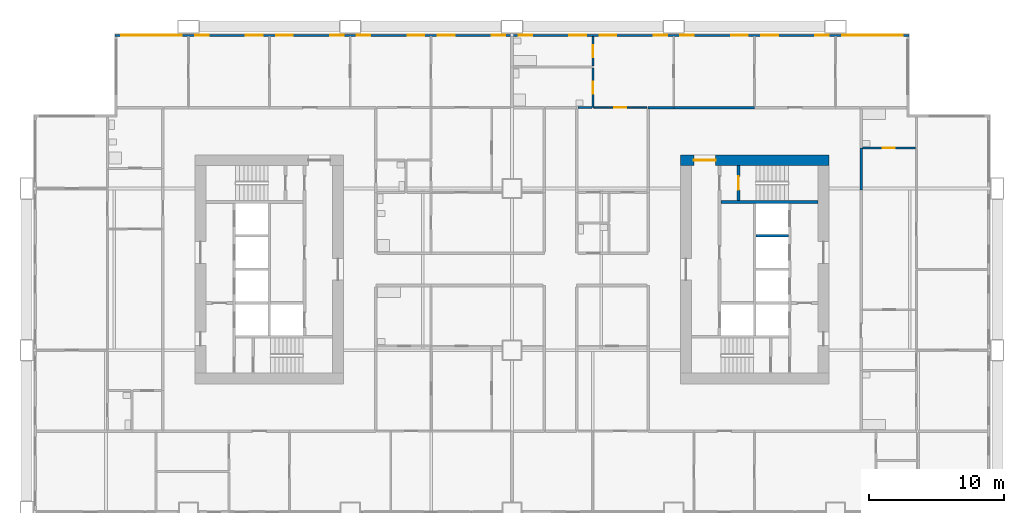
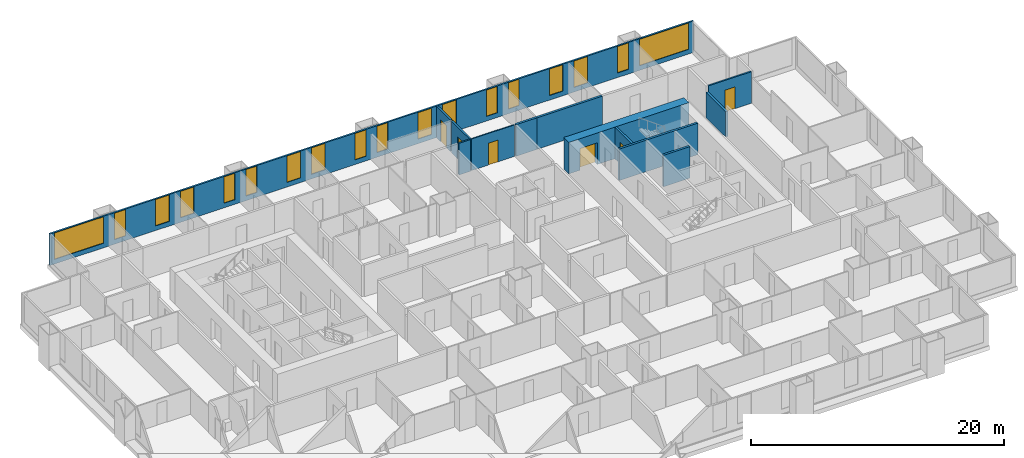
# One storey, part 10 of 14: 18 windows, 13 walls, 6 doors, 24 openings.
"""IFC4 building model written with IfcOpenShell, lengths in metres."""

from ifc_helpers import new_model, si_unit, direction, frame, frame_2d, origin, place, context, subcontext, project, spatial, rectangle, extrude, material, layer, layer_set, type_object, element, fill, save


model = new_model("IFC4")

# Units and contexts
model_context = context("Model", 3, precision=1e-05, world=origin(), true_north=direction((0.0, 1.0)))
body_context = subcontext(model_context, "Body", "Model", "MODEL_VIEW")
ifc_project = project(units=[si_unit("LENGTHUNIT", "METRE"), si_unit("AREAUNIT", "SQUARE_METRE"), si_unit("VOLUMEUNIT", "CUBIC_METRE"), si_unit("PLANEANGLEUNIT", "RADIAN"), si_unit("MASSUNIT", "GRAM", prefix="KILO")], contexts=[model_context])

# Site, building, storey
site_placement = place(None, origin())
site = spatial("IfcSite", under=ifc_project, at=site_placement, CompositionType="ELEMENT")
building_placement = place(site_placement, origin())
building = spatial("IfcBuilding", under=site, at=building_placement, Name="Kitamizu Gate Tower and Museum", CompositionType="ELEMENT")
storey_placement = place(building_placement, frame((0.0, 0.0, 85.199951171875)))
storey = spatial("IfcBuildingStorey", under=building, at=storey_placement, Name="L21", CompositionType="ELEMENT", Elevation=85.199951171875)

# Wall, opening, door
ifc_material_1 = material(Name="Concrete Fc60", Category="concrete")
ifc_layer_1 = layer(ifc_material_1, 0.800048828125)
ifc_layer_set_1 = layer_set([ifc_layer_1], Name="Concrete Fc60")
wall_type_1 = type_object("IfcWallType", Name="Core wall 800", PredefinedType="SHEAR", material=ifc_layer_set_1)
wall_1_placement = place(storey_placement, frame((59.5, 38.10009765625, 0.0), z_axis=(0.0, 0.0, 1.0), x_axis=(-1.0, 0.0, 0.0)))
wall_1 = element("IfcWall", 1, at=wall_1_placement, inside=storey, type_object=wall_type_1, Name="Core wall EN", PredefinedType="SHEAR", context=body_context, shape_type="SweptSolid", body=[
    extrude(rectangle(XDim=11.0, YDim=0.800048828125, at=frame_2d((5.5, 0.0))), origin(), (0.0, 0.0, 1.0), 3.050048828125),
])
opening_1_placement = place(wall_1_placement, frame((8.39990234375, 0.0, 0.0)))
opening_1 = element("IfcOpeningElement", 2, at=opening_1_placement, cuts=wall_1, Name="Opening L21-093", PredefinedType="OPENING", context=body_context, shape_type="SweptSolid", body=[
    extrude(rectangle(XDim=1.60009765625, YDim=2.10009765625, at=frame_2d((0.800048828125, 1.050048828125))), frame((0.0, 0.41015625, 0.0), z_axis=(0.0, -1.0, 0.0), x_axis=(1.0, 0.0, 0.0)), (0.0, 0.0, 1.0), 0.820068359375),
])
ifc_material_2 = material(Name="Timber door set", Category="wood")
door_type_1 = type_object("IfcDoorType", Name="Entrance door 1600", OperationType="DOUBLE_DOOR_SINGLE_SWING", PredefinedType="DOOR", material=ifc_material_2)
door_1_placement = place(opening_1_placement, origin())
door_1 = element("IfcDoor", 3, at=door_1_placement, inside=storey, type_object=door_type_1, Name="Lobby door L21-093", OperationType="DOUBLE_DOOR_SINGLE_SWING", OverallHeight=2.10009765625, OverallWidth=1.60009765625, PredefinedType="DOOR", context=body_context, shape_type="SweptSolid", body=[
    extrude(rectangle(XDim=1.60009765625, YDim=2.10009765625, at=frame_2d((0.800048828125, 1.050048828125))), frame((0.0, 0.02490234375, 0.0), z_axis=(0.0, -1.0, 0.0), x_axis=(1.0, 0.0, 0.0)), (0.0, 0.0, 1.0), 0.050048828125),
])
fill(opening_1, door_1)

ifc_material_3 = material(Name="Gypsum board on galvanised stud")
ifc_layer_2 = layer(ifc_material_3, 0.10009765625)
ifc_layer_set_2 = layer_set([ifc_layer_2], Name="Gypsum board on galvanised stud")
wall_type_2 = type_object("IfcWallType", Name="Partition 100 NOT RATED", PredefinedType="PARTITIONING", material=ifc_layer_set_2)
wall_2_placement = place(storey_placement, frame((42.074951171875, 42.0, 0.0), z_axis=(0.0, 0.0, 1.0), x_axis=(1.0, 0.0, 0.0)))
wall_2 = element("IfcWall", 4, at=wall_2_placement, inside=storey, type_object=wall_type_2, Name="Partition L21-194", PredefinedType="PARTITIONING", context=body_context, shape_type="SweptSolid", body=[
    extrude(rectangle(XDim=3.925048828125, YDim=0.10009765625, at=frame_2d((1.96240234375, 0.0))), origin(), (0.0, 0.0, 1.0), 3.050048828125),
])
opening_2_placement = place(wall_2_placement, frame((1.512451171875, 0.0, 0.0)))
opening_2 = element("IfcOpeningElement", 5, at=opening_2_placement, cuts=wall_2, Name="Opening L21-070", PredefinedType="OPENING", context=body_context, shape_type="SweptSolid", body=[
    extrude(rectangle(XDim=0.89990234375, YDim=2.10009765625, at=frame_2d((0.449951171875, 1.050048828125))), frame((0.0, 0.06005859375, 0.0), z_axis=(0.0, -1.0, 0.0), x_axis=(1.0, 0.0, 0.0)), (0.0, 0.0, 1.0), 0.1201171875),
])
ifc_material_4 = material(Name="Timber door set", Category="wood")
door_type_2 = type_object("IfcDoorType", Name="Room door 900", OperationType="NOTDEFINED", PredefinedType="DOOR", material=ifc_material_4)
door_2_placement = place(opening_2_placement, origin())
door_2 = element("IfcDoor", 6, at=door_2_placement, inside=storey, type_object=door_type_2, Name="Door L21-070", OperationType="SINGLE_SWING_RIGHT", OverallHeight=2.10009765625, OverallWidth=0.89990234375, PredefinedType="DOOR", context=body_context, shape_type="SweptSolid", body=[
    extrude(rectangle(XDim=0.89990234375, YDim=2.10009765625, at=frame_2d((0.449951171875, 1.050048828125))), frame((0.0, 0.02490234375, 0.0), z_axis=(0.0, -1.0, 0.0), x_axis=(1.0, 0.0, 0.0)), (0.0, 0.0, 1.0), 0.050048828125),
])
fill(opening_2, door_2)

ifc_material_5 = material(Name="Gypsum board on galvanised stud")
ifc_layer_3 = layer(ifc_material_5, 0.14990234375)
ifc_layer_set_3 = layer_set([ifc_layer_3], Name="Gypsum board on galvanised stud")
wall_type_3 = type_object("IfcWallType", Name="Partition 150", PredefinedType="PARTITIONING", material=ifc_layer_set_3)
wall_3_placement = place(storey_placement, frame((65.925048828125, 39.0, 0.0), z_axis=(0.0, 0.0, 1.0), x_axis=(-1.0, 0.0, 0.0)))
wall_3 = element("IfcWall", 7, at=wall_3_placement, inside=storey, type_object=wall_type_3, Name="Partition L21-183", PredefinedType="PARTITIONING", context=body_context, shape_type="SweptSolid", body=[
    extrude(rectangle(XDim=3.925048828125, YDim=0.14990234375, at=frame_2d((1.96240234375, 0.0))), origin(), (0.0, 0.0, 1.0), 3.050048828125),
])
opening_3_placement = place(wall_3_placement, frame((1.512451171875, 0.0, 0.0)))
opening_3 = element("IfcOpeningElement", 8, at=opening_3_placement, cuts=wall_3, Name="Opening L21-065", PredefinedType="OPENING", context=body_context, shape_type="SweptSolid", body=[
    extrude(rectangle(XDim=0.89990234375, YDim=2.10009765625, at=frame_2d((0.449951171875, 1.050048828125))), frame((0.0, 0.0849609375, 0.0), z_axis=(0.0, -1.0, 0.0), x_axis=(1.0, 0.0, 0.0)), (0.0, 0.0, 1.0), 0.169921875),
])
ifc_material_6 = material(Name="Timber door set", Category="wood")
door_type_3 = type_object("IfcDoorType", Name="Bathroom door 900", OperationType="NOTDEFINED", PredefinedType="DOOR", material=ifc_material_6)
door_3_placement = place(opening_3_placement, frame((0.89990234375, 0.0, 0.0), x_axis=(-1.0, 0.0, 0.0)))
door_3 = element("IfcDoor", 9, at=door_3_placement, inside=storey, type_object=door_type_3, Name="Bathroom door L21-065", OperationType="SINGLE_SWING_RIGHT", OverallHeight=2.10009765625, OverallWidth=0.89990234375, PredefinedType="DOOR", context=body_context, shape_type="SweptSolid", body=[
    extrude(rectangle(XDim=0.89990234375, YDim=2.10009765625, at=frame_2d((0.449951171875, 1.050048828125))), frame((0.0, 0.02490234375, 0.0), z_axis=(0.0, -1.0, 0.0), x_axis=(1.0, 0.0, 0.0)), (0.0, 0.0, 1.0), 0.050048828125),
])
fill(opening_3, door_3)

wall_4_placement = place(storey_placement, frame((42.0, 42.0, 0.0), z_axis=(0.0, 0.0, 1.0), x_axis=(0.0, 1.0, 0.0)))
wall_4 = element("IfcWall", 10, at=wall_4_placement, inside=storey, type_object=wall_type_3, Name="Partition L21-189", PredefinedType="PARTITIONING", context=body_context, shape_type="SweptSolid", body=[
    extrude(rectangle(XDim=2.925048828125, YDim=0.14990234375, at=frame_2d((1.46240234375, 0.0))), origin(), (0.0, 0.0, 1.0), 3.050048828125),
])
opening_4_placement = place(wall_4_placement, frame((1.012451171875, 0.0, 0.0)))
opening_4 = element("IfcOpeningElement", 11, at=opening_4_placement, cuts=wall_4, Name="Opening L21-073", PredefinedType="OPENING", context=body_context, shape_type="SweptSolid", body=[
    extrude(rectangle(XDim=0.89990234375, YDim=2.10009765625, at=frame_2d((0.449951171875, 1.050048828125))), frame((0.0, 0.0849609375, 0.0), z_axis=(0.0, -1.0, 0.0), x_axis=(1.0, 0.0, 0.0)), (0.0, 0.0, 1.0), 0.169921875),
])
door_4_placement = place(opening_4_placement, origin())
door_4 = element("IfcDoor", 12, at=door_4_placement, inside=storey, type_object=door_type_3, Name="Bathroom door L21-073", OperationType="SINGLE_SWING_LEFT", OverallHeight=2.10009765625, OverallWidth=0.89990234375, PredefinedType="DOOR", context=body_context, shape_type="SweptSolid", body=[
    extrude(rectangle(XDim=0.89990234375, YDim=2.10009765625, at=frame_2d((0.449951171875, 1.050048828125))), frame((0.0, 0.02490234375, 0.0), z_axis=(0.0, -1.0, 0.0), x_axis=(1.0, 0.0, 0.0)), (0.0, 0.0, 1.0), 0.050048828125),
])
fill(opening_4, door_4)

# Wall
wall_5_placement = place(storey_placement, frame((40.89990234375, 42.0, 0.0), z_axis=(0.0, 0.0, 1.0), x_axis=(1.0, 0.0, 0.0)))
element("IfcWall", 13, at=wall_5_placement, inside=storey, type_object=wall_type_3, Name="Partition L21-190", PredefinedType="PARTITIONING", context=body_context, shape_type="SweptSolid", body=[
    extrude(rectangle(XDim=1.025146484375, YDim=0.14990234375, at=frame_2d((0.5126953125, 0.0))), origin(), (0.0, 0.0, 1.0), 3.050048828125),
])

# Wall, opening, door
wall_6_placement = place(storey_placement, frame((42.0, 45.074951171875, 0.0), z_axis=(0.0, 0.0, 1.0), x_axis=(0.0, 1.0, 0.0)))
wall_6 = element("IfcWall", 14, at=wall_6_placement, inside=storey, type_object=wall_type_3, Name="Partition L21-192", PredefinedType="PARTITIONING", context=body_context, shape_type="SweptSolid", body=[
    extrude(rectangle(XDim=2.205078125, YDim=0.14990234375, at=frame_2d((1.1025390625, 0.0))), origin(), (0.0, 0.0, 1.0), 3.050048828125),
])
opening_5_placement = place(wall_6_placement, frame((0.652587890625, 0.0, 0.0)))
opening_5 = element("IfcOpeningElement", 15, at=opening_5_placement, cuts=wall_6, Name="Opening L21-074", PredefinedType="OPENING", context=body_context, shape_type="SweptSolid", body=[
    extrude(rectangle(XDim=0.89990234375, YDim=2.10009765625, at=frame_2d((0.449951171875, 1.050048828125))), frame((0.0, 0.0849609375, 0.0), z_axis=(0.0, -1.0, 0.0), x_axis=(1.0, 0.0, 0.0)), (0.0, 0.0, 1.0), 0.169921875),
])
door_5_placement = place(opening_5_placement, origin())
door_5 = element("IfcDoor", 16, at=door_5_placement, inside=storey, type_object=door_type_3, Name="Bathroom door L21-074", OperationType="SINGLE_SWING_RIGHT", OverallHeight=2.10009765625, OverallWidth=0.89990234375, PredefinedType="DOOR", context=body_context, shape_type="SweptSolid", body=[
    extrude(rectangle(XDim=0.89990234375, YDim=2.10009765625, at=frame_2d((0.449951171875, 1.050048828125))), frame((0.0, 0.02490234375, 0.0), z_axis=(0.0, -1.0, 0.0), x_axis=(1.0, 0.0, 0.0)), (0.0, 0.0, 1.0), 0.050048828125),
])
fill(opening_5, door_5)

# Walls
ifc_material_7 = material(Name="Gypsum board on galvanised stud")
ifc_layer_4 = layer(ifc_material_7, 0.199951171875)
ifc_layer_set_4 = layer_set([ifc_layer_4], Name="Gypsum board on galvanised stud")
wall_type_4 = type_object("IfcWallType", Name="Partition 200", PredefinedType="PARTITIONING", material=ifc_layer_set_4)
wall_7_placement = place(storey_placement, frame((61.89990234375, 39.0, 0.0), z_axis=(0.0, 0.0, 1.0), x_axis=(0.0, -1.0, 0.0)))
element("IfcWall", 17, at=wall_7_placement, inside=storey, type_object=wall_type_4, Name="Partition L21-184", PredefinedType="PARTITIONING", context=body_context, shape_type="SweptSolid", body=[
    extrude(rectangle(XDim=3.10009765625, YDim=0.199951171875, at=frame_2d((1.550048828125, 0.0))), origin(), (0.0, 0.0, 1.0), 2.449951171875),
])
wall_8_placement = place(storey_placement, frame((46.10009765625, 42.0, 0.0), z_axis=(0.0, 0.0, 1.0), x_axis=(1.0, 0.0, 0.0)))
element("IfcWall", 18, at=wall_8_placement, inside=storey, type_object=wall_type_4, Name="Partition L21-195", PredefinedType="PARTITIONING", context=body_context, shape_type="SweptSolid", body=[
    extrude(rectangle(XDim=1.89990234375, YDim=0.199951171875, at=frame_2d((0.949951171875, 0.0))), origin(), (0.0, 0.0, 1.0), 3.050048828125),
])
wall_9_placement = place(storey_placement, frame((48.0, 42.0, 0.0), z_axis=(0.0, 0.0, 1.0), x_axis=(1.0, 0.0, 0.0)))
element("IfcWall", 19, at=wall_9_placement, inside=storey, type_object=wall_type_4, Name="Partition L21-197", PredefinedType="PARTITIONING", context=body_context, shape_type="SweptSolid", body=[
    extrude(rectangle(XDim=6.0, YDim=0.199951171875, at=frame_2d((3.0, 0.0))), origin(), (0.0, 0.0, 1.0), 3.050048828125),
])
ifc_material_8 = material(Name="Concrete Fc42", Category="concrete")
ifc_layer_5 = layer(ifc_material_8, 0.199951171875)
ifc_layer_set_5 = layer_set([ifc_layer_5], Name="Concrete Fc42")
wall_type_5 = type_object("IfcWallType", Name="Shaft wall 200", PredefinedType="SOLIDWALL", material=ifc_layer_set_5)
wall_10_placement = place(storey_placement, frame((58.699951171875, 35.0, 0.0), z_axis=(0.0, 0.0, 1.0), x_axis=(-1.0, 0.0, 0.0)))
element("IfcWall", 20, at=wall_10_placement, inside=storey, type_object=wall_type_5, Name="Shaft wall ENB", PredefinedType="SOLIDWALL", context=body_context, shape_type="SweptSolid", body=[
    extrude(rectangle(XDim=7.199951171875, YDim=0.199951171875, at=frame_2d((3.60009765625, 0.0))), origin(), (0.0, 0.0, 1.0), 3.050048828125),
])

# Wall, opening, door
wall_11_placement = place(storey_placement, frame((52.800048828125, 35.10009765625, 0.0), z_axis=(0.0, 0.0, 1.0), x_axis=(0.0, 1.0, 0.0)))
wall_11 = element("IfcWall", 21, at=wall_11_placement, inside=storey, type_object=wall_type_5, Name="Shaft wall ENZ", PredefinedType="SOLIDWALL", context=body_context, shape_type="SweptSolid", body=[
    extrude(rectangle(XDim=2.599853515625, YDim=0.199951171875, at=frame_2d((1.2998046875, 0.0))), origin(), (0.0, 0.0, 1.0), 3.050048828125),
])
opening_6_placement = place(wall_11_placement, frame((0.800048828125, 0.0, 0.0)))
opening_6 = element("IfcOpeningElement", 22, at=opening_6_placement, cuts=wall_11, Name="Opening L21-089", PredefinedType="OPENING", context=body_context, shape_type="SweptSolid", body=[
    extrude(rectangle(XDim=1.0, YDim=2.10009765625, at=frame_2d((0.5, 1.050048828125))), frame((0.0, 0.10986328125, 0.0), z_axis=(0.0, -1.0, 0.0), x_axis=(1.0, 0.0, 0.0)), (0.0, 0.0, 1.0), 0.219970703125),
])
ifc_material_9 = material(Name="Hollow metal door set")
door_type_4 = type_object("IfcDoorType", Name="Fire door 1000", OperationType="NOTDEFINED", PredefinedType="DOOR", material=ifc_material_9)
door_6_placement = place(opening_6_placement, frame((1.0, 0.0, 0.0), x_axis=(-1.0, 0.0, 0.0)))
door_6 = element("IfcDoor", 23, at=door_6_placement, inside=storey, type_object=door_type_4, Name="Stair door L21-089", OperationType="SINGLE_SWING_LEFT", OverallHeight=2.10009765625, OverallWidth=1.0, PredefinedType="DOOR", context=body_context, shape_type="SweptSolid", body=[
    extrude(rectangle(XDim=1.0, YDim=2.10009765625, at=frame_2d((0.5, 1.050048828125))), frame((0.0, 0.02490234375, 0.0), z_axis=(0.0, -1.0, 0.0), x_axis=(1.0, 0.0, 0.0)), (0.0, 0.0, 1.0), 0.050048828125),
])
fill(opening_6, door_6)

# Wall
wall_12_placement = place(storey_placement, frame((56.5, 32.5, 0.0), z_axis=(0.0, 0.0, 1.0), x_axis=(-1.0, 0.0, 0.0)))
element("IfcWall", 24, at=wall_12_placement, inside=storey, type_object=wall_type_5, Name="Shaft wall EDVW2", PredefinedType="SOLIDWALL", context=body_context, shape_type="SweptSolid", body=[
    extrude(rectangle(XDim=2.39990234375, YDim=0.199951171875, at=frame_2d((1.199951171875, 0.0))), origin(), (0.0, 0.0, 1.0), 3.050048828125),
])

# Wall, openings, windows
ifc_material_10 = material(Name="Bronze anodised aluminium frame with insulated spandrel and tinted glass", Category="aluminium")
ifc_layer_6 = layer(ifc_material_10, 0.14990234375)
ifc_layer_set_6 = layer_set([ifc_layer_6], Name="Bronze anodised aluminium frame with insulated spandrel and tinted glass")
wall_type_6 = type_object("IfcWallType", Name="WINDOW WALL 150 BRONZE FRAME EI 30", PredefinedType="ELEMENTEDWALL", material=ifc_layer_set_6)
wall_13_placement = place(storey_placement, frame((6.56005859375, 47.364990234375, 0.0), z_axis=(0.0, 0.0, 1.0), x_axis=(1.0, 0.0, 0.0)))
wall_13 = element("IfcWall", 25, at=wall_13_placement, inside=storey, type_object=wall_type_6, Name="Window wall north L21", PredefinedType="ELEMENTEDWALL", context=body_context, shape_type="SweptSolid", body=[
    extrude(rectangle(XDim=58.8798828125, YDim=0.14990234375, at=frame_2d((29.43994140625, 0.0))), origin(), (0.0, 0.0, 1.0), 3.050048828125),
])
opening_7_placement = place(wall_13_placement, frame((0.43994140625, 0.0, 0.449951171875)))
opening_7 = element("IfcOpeningElement", 26, at=opening_7_placement, cuts=wall_13, Name="Opening W15", PredefinedType="OPENING", context=body_context, shape_type="SweptSolid", body=[
    extrude(rectangle(XDim=4.5, YDim=2.550048828125, at=frame_2d((2.25, 1.27490234375))), frame((0.0, 0.0849609375, 0.0), z_axis=(0.0, -1.0, 0.0), x_axis=(1.0, 0.0, 0.0)), (0.0, 0.0, 1.0), 0.169921875),
])
opening_8_placement = place(wall_13_placement, frame((5.93994140625, 0.0, 0.449951171875)))
opening_8 = element("IfcOpeningElement", 27, at=opening_8_placement, cuts=wall_13, Name="Opening W26", PredefinedType="OPENING", context=body_context, shape_type="SweptSolid", body=[
    extrude(rectangle(XDim=1.0, YDim=2.550048828125, at=frame_2d((0.5, 1.27490234375))), frame((0.0, 0.0849609375, 0.0), z_axis=(0.0, -1.0, 0.0), x_axis=(1.0, 0.0, 0.0)), (0.0, 0.0, 1.0), 0.169921875),
])
opening_9_placement = place(wall_13_placement, frame((9.68994140625, 0.0, 0.449951171875)))
opening_9 = element("IfcOpeningElement", 28, at=opening_9_placement, cuts=wall_13, Name="Opening W27", PredefinedType="OPENING", context=body_context, shape_type="SweptSolid", body=[
    extrude(rectangle(XDim=1.25, YDim=2.550048828125, at=frame_2d((0.625, 1.27490234375))), frame((0.0, 0.0849609375, 0.0), z_axis=(0.0, -1.0, 0.0), x_axis=(1.0, 0.0, 0.0)), (0.0, 0.0, 1.0), 0.169921875),
])
opening_10_placement = place(wall_13_placement, frame((11.93994140625, 0.0, 0.449951171875)))
opening_10 = element("IfcOpeningElement", 29, at=opening_10_placement, cuts=wall_13, Name="Opening W27", PredefinedType="OPENING", context=body_context, shape_type="SweptSolid", body=[
    extrude(rectangle(XDim=1.25, YDim=2.550048828125, at=frame_2d((0.625, 1.27490234375))), frame((0.0, 0.0849609375, 0.0), z_axis=(0.0, -1.0, 0.0), x_axis=(1.0, 0.0, 0.0)), (0.0, 0.0, 1.0), 0.169921875),
])
opening_11_placement = place(wall_13_placement, frame((15.93994140625, 0.0, 0.449951171875)))
opening_11 = element("IfcOpeningElement", 30, at=opening_11_placement, cuts=wall_13, Name="Opening W26", PredefinedType="OPENING", context=body_context, shape_type="SweptSolid", body=[
    extrude(rectangle(XDim=1.0, YDim=2.550048828125, at=frame_2d((0.5, 1.27490234375))), frame((0.0, 0.0849609375, 0.0), z_axis=(0.0, -1.0, 0.0), x_axis=(1.0, 0.0, 0.0)), (0.0, 0.0, 1.0), 0.169921875),
])
opening_12_placement = place(wall_13_placement, frame((17.93994140625, 0.0, 0.449951171875)))
opening_12 = element("IfcOpeningElement", 31, at=opening_12_placement, cuts=wall_13, Name="Opening W26", PredefinedType="OPENING", context=body_context, shape_type="SweptSolid", body=[
    extrude(rectangle(XDim=1.0, YDim=2.550048828125, at=frame_2d((0.5, 1.27490234375))), frame((0.0, 0.0849609375, 0.0), z_axis=(0.0, -1.0, 0.0), x_axis=(1.0, 0.0, 0.0)), (0.0, 0.0, 1.0), 0.169921875),
])
opening_13_placement = place(wall_13_placement, frame((21.68994140625, 0.0, 0.449951171875)))
opening_13 = element("IfcOpeningElement", 32, at=opening_13_placement, cuts=wall_13, Name="Opening W27", PredefinedType="OPENING", context=body_context, shape_type="SweptSolid", body=[
    extrude(rectangle(XDim=1.25, YDim=2.550048828125, at=frame_2d((0.625, 1.27490234375))), frame((0.0, 0.0849609375, 0.0), z_axis=(0.0, -1.0, 0.0), x_axis=(1.0, 0.0, 0.0)), (0.0, 0.0, 1.0), 0.169921875),
])
opening_14_placement = place(wall_13_placement, frame((23.93994140625, 0.0, 0.449951171875)))
opening_14 = element("IfcOpeningElement", 33, at=opening_14_placement, cuts=wall_13, Name="Opening W27", PredefinedType="OPENING", context=body_context, shape_type="SweptSolid", body=[
    extrude(rectangle(XDim=1.25, YDim=2.550048828125, at=frame_2d((0.625, 1.27490234375))), frame((0.0, 0.0849609375, 0.0), z_axis=(0.0, -1.0, 0.0), x_axis=(1.0, 0.0, 0.0)), (0.0, 0.0, 1.0), 0.169921875),
])
opening_15_placement = place(wall_13_placement, frame((27.93994140625, 0.0, 0.449951171875)))
opening_15 = element("IfcOpeningElement", 34, at=opening_15_placement, cuts=wall_13, Name="Opening W26", PredefinedType="OPENING", context=body_context, shape_type="SweptSolid", body=[
    extrude(rectangle(XDim=1.0, YDim=2.550048828125, at=frame_2d((0.5, 1.27490234375))), frame((0.0, 0.0849609375, 0.0), z_axis=(0.0, -1.0, 0.0), x_axis=(1.0, 0.0, 0.0)), (0.0, 0.0, 1.0), 0.169921875),
])
opening_16_placement = place(wall_13_placement, frame((29.93994140625, 0.0, 0.449951171875)))
opening_16 = element("IfcOpeningElement", 35, at=opening_16_placement, cuts=wall_13, Name="Opening W26", PredefinedType="OPENING", context=body_context, shape_type="SweptSolid", body=[
    extrude(rectangle(XDim=1.0, YDim=2.550048828125, at=frame_2d((0.5, 1.27490234375))), frame((0.0, 0.0849609375, 0.0), z_axis=(0.0, -1.0, 0.0), x_axis=(1.0, 0.0, 0.0)), (0.0, 0.0, 1.0), 0.169921875),
])
opening_17_placement = place(wall_13_placement, frame((33.68994140625, 0.0, 0.449951171875)))
opening_17 = element("IfcOpeningElement", 36, at=opening_17_placement, cuts=wall_13, Name="Opening W27", PredefinedType="OPENING", context=body_context, shape_type="SweptSolid", body=[
    extrude(rectangle(XDim=1.25, YDim=2.550048828125, at=frame_2d((0.625, 1.27490234375))), frame((0.0, 0.0849609375, 0.0), z_axis=(0.0, -1.0, 0.0), x_axis=(1.0, 0.0, 0.0)), (0.0, 0.0, 1.0), 0.169921875),
])
opening_18_placement = place(wall_13_placement, frame((35.93994140625, 0.0, 0.449951171875)))
opening_18 = element("IfcOpeningElement", 37, at=opening_18_placement, cuts=wall_13, Name="Opening W27", PredefinedType="OPENING", context=body_context, shape_type="SweptSolid", body=[
    extrude(rectangle(XDim=1.25, YDim=2.550048828125, at=frame_2d((0.625, 1.27490234375))), frame((0.0, 0.0849609375, 0.0), z_axis=(0.0, -1.0, 0.0), x_axis=(1.0, 0.0, 0.0)), (0.0, 0.0, 1.0), 0.169921875),
])
opening_19_placement = place(wall_13_placement, frame((39.93994140625, 0.0, 0.449951171875)))
opening_19 = element("IfcOpeningElement", 38, at=opening_19_placement, cuts=wall_13, Name="Opening W26", PredefinedType="OPENING", context=body_context, shape_type="SweptSolid", body=[
    extrude(rectangle(XDim=1.0, YDim=2.550048828125, at=frame_2d((0.5, 1.27490234375))), frame((0.0, 0.0849609375, 0.0), z_axis=(0.0, -1.0, 0.0), x_axis=(1.0, 0.0, 0.0)), (0.0, 0.0, 1.0), 0.169921875),
])
opening_20_placement = place(wall_13_placement, frame((41.93994140625, 0.0, 0.449951171875)))
opening_20 = element("IfcOpeningElement", 39, at=opening_20_placement, cuts=wall_13, Name="Opening W26", PredefinedType="OPENING", context=body_context, shape_type="SweptSolid", body=[
    extrude(rectangle(XDim=1.0, YDim=2.550048828125, at=frame_2d((0.5, 1.27490234375))), frame((0.0, 0.0849609375, 0.0), z_axis=(0.0, -1.0, 0.0), x_axis=(1.0, 0.0, 0.0)), (0.0, 0.0, 1.0), 0.169921875),
])
opening_21_placement = place(wall_13_placement, frame((45.68994140625, 0.0, 0.449951171875)))
opening_21 = element("IfcOpeningElement", 40, at=opening_21_placement, cuts=wall_13, Name="Opening W27", PredefinedType="OPENING", context=body_context, shape_type="SweptSolid", body=[
    extrude(rectangle(XDim=1.25, YDim=2.550048828125, at=frame_2d((0.625, 1.27490234375))), frame((0.0, 0.0849609375, 0.0), z_axis=(0.0, -1.0, 0.0), x_axis=(1.0, 0.0, 0.0)), (0.0, 0.0, 1.0), 0.169921875),
])
opening_22_placement = place(wall_13_placement, frame((47.93994140625, 0.0, 0.449951171875)))
opening_22 = element("IfcOpeningElement", 41, at=opening_22_placement, cuts=wall_13, Name="Opening W27", PredefinedType="OPENING", context=body_context, shape_type="SweptSolid", body=[
    extrude(rectangle(XDim=1.25, YDim=2.550048828125, at=frame_2d((0.625, 1.27490234375))), frame((0.0, 0.0849609375, 0.0), z_axis=(0.0, -1.0, 0.0), x_axis=(1.0, 0.0, 0.0)), (0.0, 0.0, 1.0), 0.169921875),
])
opening_23_placement = place(wall_13_placement, frame((51.93994140625, 0.0, 0.449951171875)))
opening_23 = element("IfcOpeningElement", 42, at=opening_23_placement, cuts=wall_13, Name="Opening W26", PredefinedType="OPENING", context=body_context, shape_type="SweptSolid", body=[
    extrude(rectangle(XDim=1.0, YDim=2.550048828125, at=frame_2d((0.5, 1.27490234375))), frame((0.0, 0.0849609375, 0.0), z_axis=(0.0, -1.0, 0.0), x_axis=(1.0, 0.0, 0.0)), (0.0, 0.0, 1.0), 0.169921875),
])
opening_24_placement = place(wall_13_placement, frame((53.93994140625, 0.0, 0.449951171875)))
opening_24 = element("IfcOpeningElement", 43, at=opening_24_placement, cuts=wall_13, Name="Opening W15", PredefinedType="OPENING", context=body_context, shape_type="SweptSolid", body=[
    extrude(rectangle(XDim=4.5, YDim=2.550048828125, at=frame_2d((2.25, 1.27490234375))), frame((0.0, 0.0849609375, 0.0), z_axis=(0.0, -1.0, 0.0), x_axis=(1.0, 0.0, 0.0)), (0.0, 0.0, 1.0), 0.169921875),
])
ifc_material_11 = material(Name="Bronze anodised aluminium frame, tinted triple glazing", Category="aluminium")
window_type_1 = type_object("IfcWindowType", Name="WINDOW 1000 x 2550 SILL 450", PartitioningType="SINGLE_PANEL", PredefinedType="WINDOW", material=ifc_material_11)
window_1_placement = place(opening_8_placement, origin())
window_1 = element("IfcWindow", 44, at=window_1_placement, inside=storey, type_object=window_type_1, Name="Window W26 L21", OverallHeight=2.550048828125, OverallWidth=1.0, PartitioningType="SINGLE_PANEL", PredefinedType="WINDOW", context=body_context, shape_type="SweptSolid", body=[
    extrude(rectangle(XDim=1.0, YDim=2.550048828125, at=frame_2d((0.5, 1.27490234375))), frame((0.0, 0.030029296875, 0.0), z_axis=(0.0, -1.0, 0.0), x_axis=(1.0, 0.0, 0.0)), (0.0, 0.0, 1.0), 0.06005859375),
])
fill(opening_8, window_1)
window_2_placement = place(opening_11_placement, origin())
window_2 = element("IfcWindow", 45, at=window_2_placement, inside=storey, type_object=window_type_1, Name="Window W26 L21", OverallHeight=2.550048828125, OverallWidth=1.0, PartitioningType="SINGLE_PANEL", PredefinedType="WINDOW", context=body_context, shape_type="SweptSolid", body=[
    extrude(rectangle(XDim=1.0, YDim=2.550048828125, at=frame_2d((0.5, 1.27490234375))), frame((0.0, 0.030029296875, 0.0), z_axis=(0.0, -1.0, 0.0), x_axis=(1.0, 0.0, 0.0)), (0.0, 0.0, 1.0), 0.06005859375),
])
fill(opening_11, window_2)
window_3_placement = place(opening_12_placement, origin())
window_3 = element("IfcWindow", 46, at=window_3_placement, inside=storey, type_object=window_type_1, Name="Window W26 L21", OverallHeight=2.550048828125, OverallWidth=1.0, PartitioningType="SINGLE_PANEL", PredefinedType="WINDOW", context=body_context, shape_type="SweptSolid", body=[
    extrude(rectangle(XDim=1.0, YDim=2.550048828125, at=frame_2d((0.5, 1.27490234375))), frame((0.0, 0.030029296875, 0.0), z_axis=(0.0, -1.0, 0.0), x_axis=(1.0, 0.0, 0.0)), (0.0, 0.0, 1.0), 0.06005859375),
])
fill(opening_12, window_3)
window_4_placement = place(opening_15_placement, origin())
window_4 = element("IfcWindow", 47, at=window_4_placement, inside=storey, type_object=window_type_1, Name="Window W26 L21", OverallHeight=2.550048828125, OverallWidth=1.0, PartitioningType="SINGLE_PANEL", PredefinedType="WINDOW", context=body_context, shape_type="SweptSolid", body=[
    extrude(rectangle(XDim=1.0, YDim=2.550048828125, at=frame_2d((0.5, 1.27490234375))), frame((0.0, 0.030029296875, 0.0), z_axis=(0.0, -1.0, 0.0), x_axis=(1.0, 0.0, 0.0)), (0.0, 0.0, 1.0), 0.06005859375),
])
fill(opening_15, window_4)
window_5_placement = place(opening_16_placement, origin())
window_5 = element("IfcWindow", 48, at=window_5_placement, inside=storey, type_object=window_type_1, Name="Window W26 L21", OverallHeight=2.550048828125, OverallWidth=1.0, PartitioningType="SINGLE_PANEL", PredefinedType="WINDOW", context=body_context, shape_type="SweptSolid", body=[
    extrude(rectangle(XDim=1.0, YDim=2.550048828125, at=frame_2d((0.5, 1.27490234375))), frame((0.0, 0.030029296875, 0.0), z_axis=(0.0, -1.0, 0.0), x_axis=(1.0, 0.0, 0.0)), (0.0, 0.0, 1.0), 0.06005859375),
])
fill(opening_16, window_5)
window_6_placement = place(opening_19_placement, origin())
window_6 = element("IfcWindow", 49, at=window_6_placement, inside=storey, type_object=window_type_1, Name="Window W26 L21", OverallHeight=2.550048828125, OverallWidth=1.0, PartitioningType="SINGLE_PANEL", PredefinedType="WINDOW", context=body_context, shape_type="SweptSolid", body=[
    extrude(rectangle(XDim=1.0, YDim=2.550048828125, at=frame_2d((0.5, 1.27490234375))), frame((0.0, 0.030029296875, 0.0), z_axis=(0.0, -1.0, 0.0), x_axis=(1.0, 0.0, 0.0)), (0.0, 0.0, 1.0), 0.06005859375),
])
fill(opening_19, window_6)
window_7_placement = place(opening_20_placement, origin())
window_7 = element("IfcWindow", 50, at=window_7_placement, inside=storey, type_object=window_type_1, Name="Window W26 L21", OverallHeight=2.550048828125, OverallWidth=1.0, PartitioningType="SINGLE_PANEL", PredefinedType="WINDOW", context=body_context, shape_type="SweptSolid", body=[
    extrude(rectangle(XDim=1.0, YDim=2.550048828125, at=frame_2d((0.5, 1.27490234375))), frame((0.0, 0.030029296875, 0.0), z_axis=(0.0, -1.0, 0.0), x_axis=(1.0, 0.0, 0.0)), (0.0, 0.0, 1.0), 0.06005859375),
])
fill(opening_20, window_7)
window_8_placement = place(opening_23_placement, origin())
window_8 = element("IfcWindow", 51, at=window_8_placement, inside=storey, type_object=window_type_1, Name="Window W26 L21", OverallHeight=2.550048828125, OverallWidth=1.0, PartitioningType="SINGLE_PANEL", PredefinedType="WINDOW", context=body_context, shape_type="SweptSolid", body=[
    extrude(rectangle(XDim=1.0, YDim=2.550048828125, at=frame_2d((0.5, 1.27490234375))), frame((0.0, 0.030029296875, 0.0), z_axis=(0.0, -1.0, 0.0), x_axis=(1.0, 0.0, 0.0)), (0.0, 0.0, 1.0), 0.06005859375),
])
fill(opening_23, window_8)
ifc_material_12 = material(Name="Bronze anodised aluminium frame, tinted triple glazing", Category="aluminium")
window_type_2 = type_object("IfcWindowType", Name="WINDOW 1250 x 2550 SILL 450", PartitioningType="SINGLE_PANEL", PredefinedType="WINDOW", material=ifc_material_12)
window_9_placement = place(opening_9_placement, origin())
window_9 = element("IfcWindow", 52, at=window_9_placement, inside=storey, type_object=window_type_2, Name="Window W27 L21", OverallHeight=2.550048828125, OverallWidth=1.25, PartitioningType="SINGLE_PANEL", PredefinedType="WINDOW", context=body_context, shape_type="SweptSolid", body=[
    extrude(rectangle(XDim=1.25, YDim=2.550048828125, at=frame_2d((0.625, 1.27490234375))), frame((0.0, 0.030029296875, 0.0), z_axis=(0.0, -1.0, 0.0), x_axis=(1.0, 0.0, 0.0)), (0.0, 0.0, 1.0), 0.06005859375),
])
fill(opening_9, window_9)
window_10_placement = place(opening_10_placement, origin())
window_10 = element("IfcWindow", 53, at=window_10_placement, inside=storey, type_object=window_type_2, Name="Window W27 L21", OverallHeight=2.550048828125, OverallWidth=1.25, PartitioningType="SINGLE_PANEL", PredefinedType="WINDOW", context=body_context, shape_type="SweptSolid", body=[
    extrude(rectangle(XDim=1.25, YDim=2.550048828125, at=frame_2d((0.625, 1.27490234375))), frame((0.0, 0.030029296875, 0.0), z_axis=(0.0, -1.0, 0.0), x_axis=(1.0, 0.0, 0.0)), (0.0, 0.0, 1.0), 0.06005859375),
])
fill(opening_10, window_10)
window_11_placement = place(opening_13_placement, origin())
window_11 = element("IfcWindow", 54, at=window_11_placement, inside=storey, type_object=window_type_2, Name="Window W27 L21", OverallHeight=2.550048828125, OverallWidth=1.25, PartitioningType="SINGLE_PANEL", PredefinedType="WINDOW", context=body_context, shape_type="SweptSolid", body=[
    extrude(rectangle(XDim=1.25, YDim=2.550048828125, at=frame_2d((0.625, 1.27490234375))), frame((0.0, 0.030029296875, 0.0), z_axis=(0.0, -1.0, 0.0), x_axis=(1.0, 0.0, 0.0)), (0.0, 0.0, 1.0), 0.06005859375),
])
fill(opening_13, window_11)
window_12_placement = place(opening_14_placement, origin())
window_12 = element("IfcWindow", 55, at=window_12_placement, inside=storey, type_object=window_type_2, Name="Window W27 L21", OverallHeight=2.550048828125, OverallWidth=1.25, PartitioningType="SINGLE_PANEL", PredefinedType="WINDOW", context=body_context, shape_type="SweptSolid", body=[
    extrude(rectangle(XDim=1.25, YDim=2.550048828125, at=frame_2d((0.625, 1.27490234375))), frame((0.0, 0.030029296875, 0.0), z_axis=(0.0, -1.0, 0.0), x_axis=(1.0, 0.0, 0.0)), (0.0, 0.0, 1.0), 0.06005859375),
])
fill(opening_14, window_12)
window_13_placement = place(opening_17_placement, origin())
window_13 = element("IfcWindow", 56, at=window_13_placement, inside=storey, type_object=window_type_2, Name="Window W27 L21", OverallHeight=2.550048828125, OverallWidth=1.25, PartitioningType="SINGLE_PANEL", PredefinedType="WINDOW", context=body_context, shape_type="SweptSolid", body=[
    extrude(rectangle(XDim=1.25, YDim=2.550048828125, at=frame_2d((0.625, 1.27490234375))), frame((0.0, 0.030029296875, 0.0), z_axis=(0.0, -1.0, 0.0), x_axis=(1.0, 0.0, 0.0)), (0.0, 0.0, 1.0), 0.06005859375),
])
fill(opening_17, window_13)
window_14_placement = place(opening_18_placement, origin())
window_14 = element("IfcWindow", 57, at=window_14_placement, inside=storey, type_object=window_type_2, Name="Window W27 L21", OverallHeight=2.550048828125, OverallWidth=1.25, PartitioningType="SINGLE_PANEL", PredefinedType="WINDOW", context=body_context, shape_type="SweptSolid", body=[
    extrude(rectangle(XDim=1.25, YDim=2.550048828125, at=frame_2d((0.625, 1.27490234375))), frame((0.0, 0.030029296875, 0.0), z_axis=(0.0, -1.0, 0.0), x_axis=(1.0, 0.0, 0.0)), (0.0, 0.0, 1.0), 0.06005859375),
])
fill(opening_18, window_14)
window_15_placement = place(opening_21_placement, origin())
window_15 = element("IfcWindow", 58, at=window_15_placement, inside=storey, type_object=window_type_2, Name="Window W27 L21", OverallHeight=2.550048828125, OverallWidth=1.25, PartitioningType="SINGLE_PANEL", PredefinedType="WINDOW", context=body_context, shape_type="SweptSolid", body=[
    extrude(rectangle(XDim=1.25, YDim=2.550048828125, at=frame_2d((0.625, 1.27490234375))), frame((0.0, 0.030029296875, 0.0), z_axis=(0.0, -1.0, 0.0), x_axis=(1.0, 0.0, 0.0)), (0.0, 0.0, 1.0), 0.06005859375),
])
fill(opening_21, window_15)
window_16_placement = place(opening_22_placement, origin())
window_16 = element("IfcWindow", 59, at=window_16_placement, inside=storey, type_object=window_type_2, Name="Window W27 L21", OverallHeight=2.550048828125, OverallWidth=1.25, PartitioningType="SINGLE_PANEL", PredefinedType="WINDOW", context=body_context, shape_type="SweptSolid", body=[
    extrude(rectangle(XDim=1.25, YDim=2.550048828125, at=frame_2d((0.625, 1.27490234375))), frame((0.0, 0.030029296875, 0.0), z_axis=(0.0, -1.0, 0.0), x_axis=(1.0, 0.0, 0.0)), (0.0, 0.0, 1.0), 0.06005859375),
])
fill(opening_22, window_16)
ifc_material_13 = material(Name="Bronze anodised aluminium frame, tinted triple glazing", Category="aluminium")
window_type_3 = type_object("IfcWindowType", Name="WINDOW 4500 x 2550 SILL 450", PartitioningType="SINGLE_PANEL", PredefinedType="WINDOW", material=ifc_material_13)
window_17_placement = place(opening_7_placement, origin())
window_17 = element("IfcWindow", 60, at=window_17_placement, inside=storey, type_object=window_type_3, Name="Window W15 L21", OverallHeight=2.550048828125, OverallWidth=4.5, PartitioningType="SINGLE_PANEL", PredefinedType="WINDOW", context=body_context, shape_type="SweptSolid", body=[
    extrude(rectangle(XDim=4.5, YDim=2.550048828125, at=frame_2d((2.25, 1.27490234375))), frame((0.0, 0.030029296875, 0.0), z_axis=(0.0, -1.0, 0.0), x_axis=(1.0, 0.0, 0.0)), (0.0, 0.0, 1.0), 0.06005859375),
])
fill(opening_7, window_17)
window_18_placement = place(opening_24_placement, origin())
window_18 = element("IfcWindow", 61, at=window_18_placement, inside=storey, type_object=window_type_3, Name="Window W15 L21", OverallHeight=2.550048828125, OverallWidth=4.5, PartitioningType="SINGLE_PANEL", PredefinedType="WINDOW", context=body_context, shape_type="SweptSolid", body=[
    extrude(rectangle(XDim=4.5, YDim=2.550048828125, at=frame_2d((2.25, 1.27490234375))), frame((0.0, 0.030029296875, 0.0), z_axis=(0.0, -1.0, 0.0), x_axis=(1.0, 0.0, 0.0)), (0.0, 0.0, 1.0), 0.06005859375),
])
fill(opening_24, window_18)

save(model, "model.ifc")
